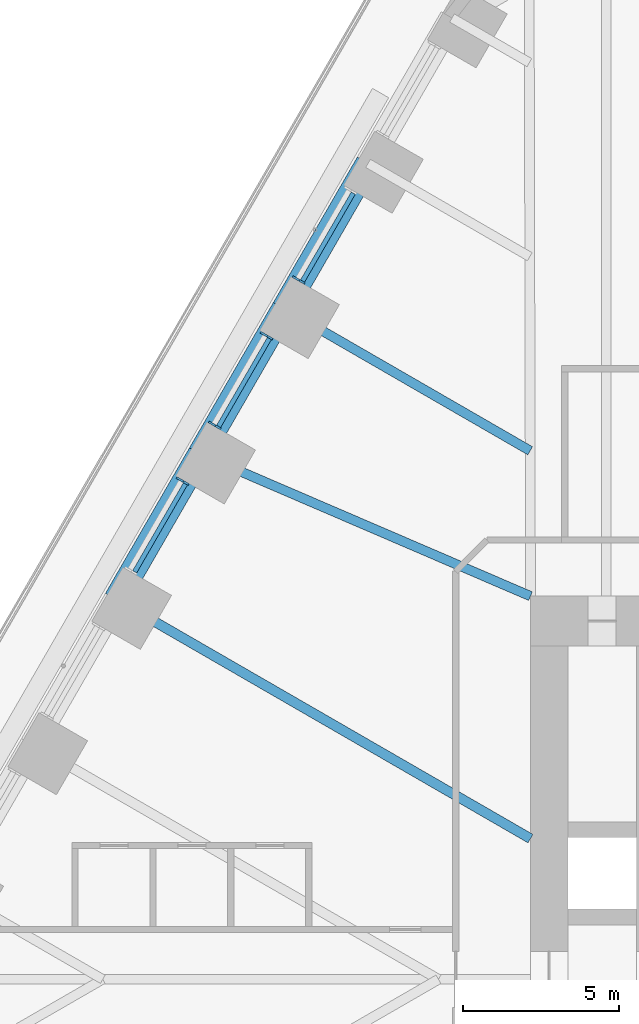
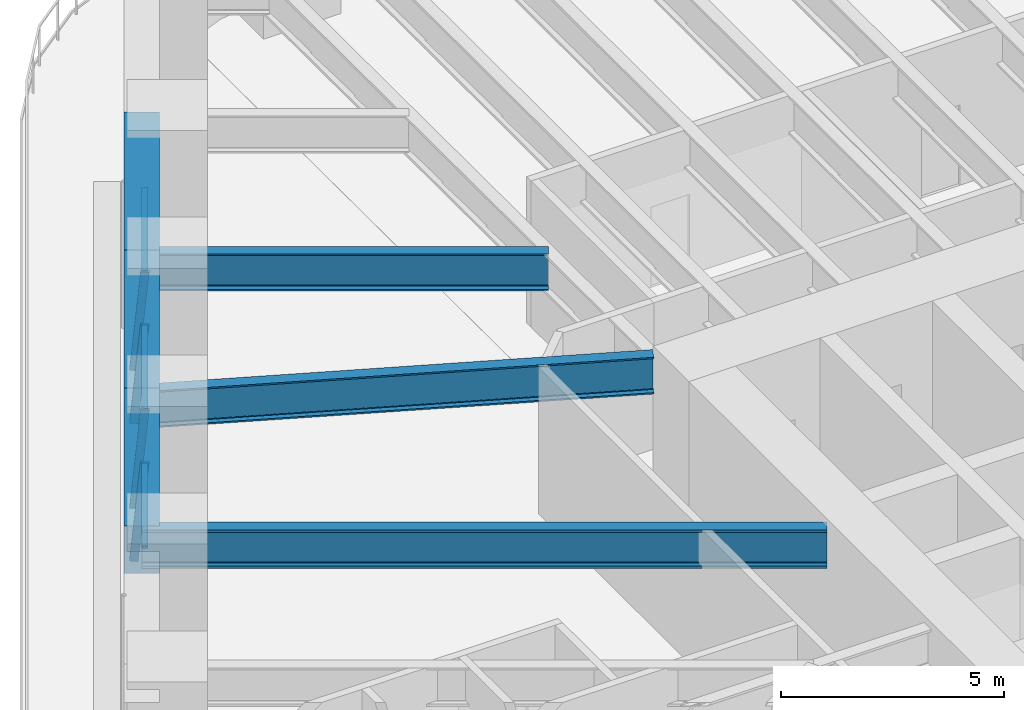
# One storey, part 8 of 23: 7 members, 6 beams, 3 elements without a shape of their own.
"""IFC4 building model written with IfcOpenShell, lengths in metres."""

from ifc_helpers import new_model, si_unit, direction, frame, origin, origin_2d, place, context, subcontext, project, spatial, rectangle, i_section, extrude, material, material_profile, profile_set, type_object, element, aggregate, save


model = new_model("IFC4")

# Units and contexts
model_context = context("Model", 3, precision=1e-05, world=origin(), true_north=direction((0.0, 1.0)))
body_context = subcontext(model_context, "Body", "Model", "MODEL_VIEW")
ifc_project = project(units=[si_unit("LENGTHUNIT", "METRE"), si_unit("AREAUNIT", "SQUARE_METRE"), si_unit("VOLUMEUNIT", "CUBIC_METRE"), si_unit("PLANEANGLEUNIT", "RADIAN"), si_unit("MASSUNIT", "GRAM", prefix="KILO")], contexts=[model_context])

# Site, building, storey
site_placement = place(None, origin())
site = spatial("IfcSite", under=ifc_project, at=site_placement, CompositionType="ELEMENT")
building_placement = place(site_placement, origin())
building = spatial("IfcBuilding", under=site, at=building_placement, Name="Tarfa Lantern Tower", CompositionType="ELEMENT")
storey_placement = place(building_placement, frame((0.0, 0.0, 52.89990234375)))
storey = spatial("IfcBuildingStorey", under=building, at=storey_placement, Name="L11", CompositionType="ELEMENT", Elevation=52.89990234375)

# Curtain wall, member
ifc_material_1 = material(Name="Aluminium framed curtain wall", Category="aluminium")
curtain_wall_type = type_object("IfcCurtainWallType", Name="CW1 CANTED GLAZING LOW ZONE 2700", PredefinedType="USERDEFINED", material=ifc_material_1)
curtain_wall_1_placement = place(storey_placement, origin())
curtain_wall_1 = element("IfcCurtainWall", 1, at=curtain_wall_1_placement, inside=storey, type_object=curtain_wall_type, Name="CW1 NW L11", ObjectType="CURTAIN WALL", PredefinedType="USERDEFINED")
ifc_material_2 = material(Name="Aluminium mullion", Category="aluminium")
ifc_material_profile_1 = material_profile(ifc_material_2, rectangle(XDim=0.06494140625, YDim=0.199951171875, at=origin_2d()), Name="AL MULLION 65x200")
ifc_profile_set_1 = profile_set([ifc_material_profile_1], Name="Aluminium mullion")
member_type_1 = type_object("IfcMemberType", Name="CWM1 MULLION 65x200", PredefinedType="MULLION", material=ifc_profile_set_1)
member_1_placement = place(storey_placement, frame((-26.147705078125, 22.5107421875, 0.0), z_axis=(0.079857261722, -0.046095736191, 0.995739926314), x_axis=(0.499919672301, 0.866071776036, 0.0)))
member_1 = element("IfcMember", 2, at=member_1_placement, type_object=member_type_1, Name="CW1 mullion 2", PredefinedType="MULLION", context=body_context, shape_type="SweptSolid", body=[
    extrude(rectangle(XDim=0.06494140625, YDim=0.199951171875, at=origin_2d()), origin(), (0.0, 0.0, 1.0), 2.711669921875),
])

# Curtain wall, members
curtain_wall_2_placement = place(storey_placement, origin())
curtain_wall_2 = element("IfcCurtainWall", 3, at=curtain_wall_2_placement, inside=storey, type_object=curtain_wall_type, Name="CW1 NW L11", ObjectType="CURTAIN WALL", PredefinedType="USERDEFINED")
member_2_placement = place(storey_placement, frame((-27.18017578125, 20.722412109375, 0.0), z_axis=(0.079857261722, -0.046095736191, 0.995739926314), x_axis=(0.499919672301, 0.866071776036, 0.0)))
member_2 = element("IfcMember", 4, at=member_2_placement, type_object=member_type_1, Name="CW1 mullion 1", PredefinedType="MULLION", context=body_context, shape_type="SweptSolid", body=[
    extrude(rectangle(XDim=0.06494140625, YDim=0.199951171875, at=origin_2d()), origin(), (0.0, 0.0, 1.0), 2.711669921875),
])
member_3_placement = place(storey_placement, frame((-28.842041015625, 17.84423828125, 0.0), z_axis=(0.079857261722, -0.046095736191, 0.995739926314), x_axis=(0.499919672301, 0.866071776036, 0.0)))
member_3 = element("IfcMember", 5, at=member_3_placement, type_object=member_type_1, Name="CW1 mullion 2", PredefinedType="MULLION", context=body_context, shape_type="SweptSolid", body=[
    extrude(rectangle(XDim=0.06494140625, YDim=0.199951171875, at=origin_2d()), origin(), (0.0, 0.0, 1.0), 2.711669921875),
])

# Curtain wall, member
curtain_wall_3_placement = place(storey_placement, origin())
curtain_wall_3 = element("IfcCurtainWall", 6, at=curtain_wall_3_placement, inside=storey, type_object=curtain_wall_type, Name="CW1 NW L11", ObjectType="CURTAIN WALL", PredefinedType="USERDEFINED")
member_4_placement = place(storey_placement, frame((-29.87451171875, 16.055908203125, 0.0), z_axis=(0.079857261722, -0.046095736191, 0.995739926314), x_axis=(0.499919672301, 0.866071776036, 0.0)))
member_4 = element("IfcMember", 7, at=member_4_placement, type_object=member_type_1, Name="CW1 mullion 1", PredefinedType="MULLION", context=body_context, shape_type="SweptSolid", body=[
    extrude(rectangle(XDim=0.06494140625, YDim=0.199951171875, at=origin_2d()), origin(), (0.0, 0.0, 1.0), 2.711669921875),
])

# Member
ifc_material_3 = material(Name="Aluminium transom", Category="aluminium")
ifc_material_profile_2 = material_profile(ifc_material_3, rectangle(XDim=0.14990234375, YDim=0.06494140625, at=origin_2d()), Name="AL TRANSOM 150x65")
ifc_profile_set_2 = profile_set([ifc_material_profile_2], Name="Aluminium transom")
member_type_2 = type_object("IfcMemberType", Name="CWT1 TRANSOM 150x65", PredefinedType="USERDEFINED", material=ifc_profile_set_2)
member_5_placement = place(storey_placement, frame((-24.288330078125, 25.237548828125, 2.66748046875), z_axis=(-0.499966746847, -0.86604460165, 0.0), x_axis=(0.86604460165, -0.499966746847, 0.0)))
member_5 = element("IfcMember", 8, at=member_5_placement, type_object=member_type_2, Name="CW1 transom 1.2", ObjectType="TRANSOM", PredefinedType="USERDEFINED", context=body_context, shape_type="SweptSolid", body=[
    extrude(rectangle(XDim=0.14990234375, YDim=0.06494140625, at=origin_2d()), origin(), (0.0, 0.0, 1.0), 3.258544921875),
])

aggregate(curtain_wall_1, [member_1, member_5])

member_6_placement = place(storey_placement, frame((-26.982666015625, 20.57080078125, 2.66748046875), z_axis=(-0.499966746847, -0.86604460165, 0.0), x_axis=(0.86604460165, -0.499966746847, 0.0)))
member_6 = element("IfcMember", 9, at=member_6_placement, type_object=member_type_2, Name="CW1 transom 1.2", ObjectType="TRANSOM", PredefinedType="USERDEFINED", context=body_context, shape_type="SweptSolid", body=[
    extrude(rectangle(XDim=0.14990234375, YDim=0.06494140625, at=origin_2d()), origin(), (0.0, 0.0, 1.0), 3.258544921875),
])

aggregate(curtain_wall_2, [member_2, member_3, member_6])

member_7_placement = place(storey_placement, frame((-29.6767578125, 15.904296875, 2.66748046875), z_axis=(-0.500022939057, -0.866012159509, 0.0), x_axis=(0.866012159509, -0.500022939057, 0.0)))
member_7 = element("IfcMember", 10, at=member_7_placement, type_object=member_type_2, Name="CW1 transom 1.2", ObjectType="TRANSOM", PredefinedType="USERDEFINED", context=body_context, shape_type="SweptSolid", body=[
    extrude(rectangle(XDim=0.14990234375, YDim=0.06494140625, at=origin_2d()), origin(), (0.0, 0.0, 1.0), 3.258544921875),
])

aggregate(curtain_wall_3, [member_4, member_7])

# Beams
ifc_material_4 = material(Name="Concrete C80/95", Category="concrete")
ifc_material_profile_3 = material_profile(ifc_material_4, rectangle(XDim=0.800048828125, YDim=1.300048828125, at=origin_2d()), Name="RC 800x1300")
ifc_profile_set_3 = profile_set([ifc_material_profile_3], Name="Concrete C80/95")
beam_type_1 = type_object("IfcBeamType", Name="EB1 RC 800x1300", PredefinedType="SPANDREL", material=ifc_profile_set_3)
beam_1_placement = place(storey_placement, frame((-23.813720703125, 26.193359375, 3.35009765625), z_axis=(-0.499998287579, -0.866026392449, 0.0), x_axis=(0.866026392449, -0.499998287579, 0.0)))
element("IfcBeam", 11, at=beam_1_placement, inside=storey, type_object=beam_type_1, Name="Edge beam NW1", PredefinedType="SPANDREL", context=body_context, shape_type="SweptSolid", body=[
    extrude(rectangle(XDim=0.800048828125, YDim=1.300048828125, at=origin_2d()), origin(), (0.0, 0.0, 1.0), 5.388671875),
])
beam_2_placement = place(storey_placement, frame((-26.508056640625, 21.526611328125, 3.35009765625), z_axis=(-0.500017906299, -0.866015065331, 0.0), x_axis=(0.866015065331, -0.500017906299, 0.0)))
element("IfcBeam", 12, at=beam_2_placement, inside=storey, type_object=beam_type_1, Name="Edge beam NW2", PredefinedType="SPANDREL", context=body_context, shape_type="SweptSolid", body=[
    extrude(rectangle(XDim=0.800048828125, YDim=1.300048828125, at=origin_2d()), origin(), (0.0, 0.0, 1.0), 5.388427734375),
])
beam_3_placement = place(storey_placement, frame((-29.202392578125, 16.860107421875, 3.35009765625), z_axis=(-0.499998287579, -0.866026392449, 0.0), x_axis=(0.866026392449, -0.499998287579, 0.0)))
element("IfcBeam", 13, at=beam_3_placement, inside=storey, type_object=beam_type_1, Name="Edge beam NW3", PredefinedType="SPANDREL", context=body_context, shape_type="SweptSolid", body=[
    extrude(rectangle(XDim=0.800048828125, YDim=1.300048828125, at=origin_2d()), origin(), (0.0, 0.0, 1.0), 5.388671875),
])
ifc_material_5 = material(Name="Steel S460M", Category="steel")
ifc_material_profile_4 = material_profile(ifc_material_5, i_section(OverallWidth=0.302001953125, OverallDepth=1.008056640625, WebThickness=0.02099609375, FlangeThickness=0.0400390625, FilletRadius=0.030029296875, at=origin_2d()), Name="UB1016x305x349")
ifc_profile_set_4 = profile_set([ifc_material_profile_4], Name="Steel S460M")
beam_type_2 = type_object("IfcBeamType", Name="UB1016x305x349", PredefinedType="BEAM", material=ifc_profile_set_4)
beam_4_placement = place(storey_placement, frame((-26.508056640625, 21.526611328125, 3.49609375), z_axis=(0.866035355799, -0.49998276221, 0.0), x_axis=(0.49998276221, 0.866035355799, 0.0)))
element("IfcBeam", 14, at=beam_4_placement, inside=storey, type_object=beam_type_2, Name="Floor beam NW2", PredefinedType="BEAM", context=body_context, shape_type="SweptSolid", body=[
    extrude(i_section(OverallWidth=0.302001953125, OverallDepth=1.008056640625, WebThickness=0.02099609375, FlangeThickness=0.0400390625, FilletRadius=0.030029296875, at=origin_2d()), origin(), (0.0, 0.0, 1.0), 9.119873046875),
])
beam_5_placement = place(storey_placement, frame((-29.202392578125, 16.860107421875, 3.49609375), z_axis=(0.918635483867, -0.395106122175, 0.0), x_axis=(0.395106122175, 0.918635483867, 0.0)))
element("IfcBeam", 15, at=beam_5_placement, inside=storey, type_object=beam_type_2, Name="Floor beam NW3", PredefinedType="BEAM", context=body_context, shape_type="SweptSolid", body=[
    extrude(i_section(OverallWidth=0.302001953125, OverallDepth=1.008056640625, WebThickness=0.02099609375, FlangeThickness=0.0400390625, FilletRadius=0.030029296875, at=origin_2d()), origin(), (0.0, 0.0, 1.0), 11.541259765625),
])
ifc_material_profile_5 = material_profile(ifc_material_5, i_section(OverallWidth=0.314208984375, OverallDepth=1.055908203125, WebThickness=0.035888671875, FlangeThickness=0.06396484375, FilletRadius=0.030029296875, at=origin_2d()), Name="UB1016x305x584")
ifc_profile_set_5 = profile_set([ifc_material_profile_5], Name="Steel S460M")
beam_type_3 = type_object("IfcBeamType", Name="UB1016x305x584", PredefinedType="BEAM", material=ifc_profile_set_5)
beam_6_placement = place(storey_placement, frame((-31.896728515625, 12.193359375, 3.47216796875), z_axis=(0.866026971665, -0.499997284341, 0.0), x_axis=(0.499997284341, 0.866026971665, 0.0)))
element("IfcBeam", 16, at=beam_6_placement, inside=storey, type_object=beam_type_3, Name="Floor beam NW4", PredefinedType="BEAM", context=body_context, shape_type="SweptSolid", body=[
    extrude(i_section(OverallWidth=0.314208984375, OverallDepth=1.055908203125, WebThickness=0.035888671875, FlangeThickness=0.06396484375, FilletRadius=0.030029296875, at=origin_2d()), origin(), (0.0, 0.0, 1.0), 15.353515625),
])

save(model, "model.ifc")
